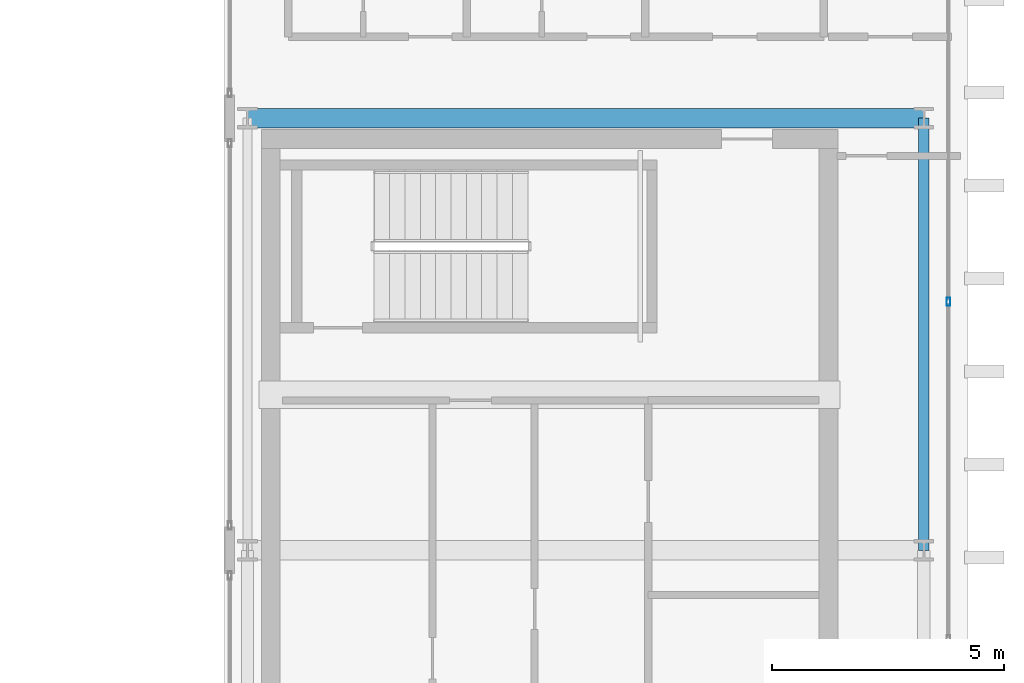
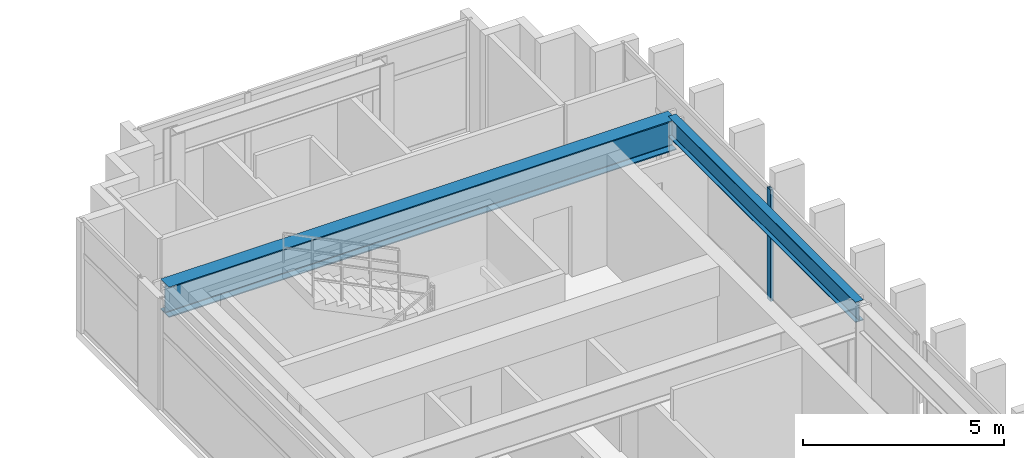
# One storey, part 14 of 25: 2 beams, 1 member, 1 element without a shape of its own.
"""IFC4 building model written with IfcOpenShell, lengths in metres."""

from ifc_helpers import new_model, si_unit, direction, frame, origin, origin_2d, place, context, subcontext, project, spatial, hollow_rectangle, i_section, extrude, source, transform, mapped, material, layer, layer_set, material_profile, profile_set, type_object, element, aggregate, save


model = new_model("IFC4")

# Units and contexts
model_context = context("Model", 3, precision=1e-05, world=origin(), true_north=direction((0.0, 1.0)))
body_context = subcontext(model_context, "Body", "Model", "MODEL_VIEW")
ifc_project = project(units=[si_unit("LENGTHUNIT", "METRE"), si_unit("AREAUNIT", "SQUARE_METRE"), si_unit("VOLUMEUNIT", "CUBIC_METRE"), si_unit("PLANEANGLEUNIT", "RADIAN"), si_unit("MASSUNIT", "GRAM", prefix="KILO")], contexts=[model_context])

# Site, building, storey
site_placement = place(None, origin())
site = spatial("IfcSite", under=ifc_project, at=site_placement, CompositionType="ELEMENT")
building_placement = place(site_placement, origin())
building = spatial("IfcBuilding", under=site, at=building_placement, Name="Ocotamira Hotel", CompositionType="ELEMENT")
storey_placement = place(building_placement, frame((0.0, 0.0, 265.199951171875)))
storey = spatial("IfcBuildingStorey", under=building, at=storey_placement, Name="L67", CompositionType="ELEMENT", Elevation=265.199951171875)

# Beams
ifc_material_1 = material(Name="Steel ASTM A992 Grade 50", Category="steel")
ifc_material_profile_1 = material_profile(ifc_material_1, i_section(OverallWidth=0.41796875, OverallDepth=0.927001953125, WebThickness=0.019287109375, FlangeThickness=0.031982421875, FilletRadius=0.02392578125, at=origin_2d()), Name="W36X231")
ifc_profile_set_1 = profile_set([ifc_material_profile_1], Name="Steel ASTM A992 Grade 50")
beam_type_1 = type_object("IfcBeamType", Name="BM-GIRD-W36X231", PredefinedType="BEAM", material=ifc_profile_set_1)
shared_shape_1 = source(origin(), body_context, "Body", "SweptSolid", [
    extrude(i_section(OverallWidth=0.41796875, OverallDepth=0.927001953125, WebThickness=0.019287109375, FlangeThickness=0.031982421875, FilletRadius=0.02392578125, at=origin_2d()), origin(), (0.0, 0.0, 1.0), 14.550048828125),
])
beam_1_placement = place(storey_placement, frame((40.5, 37.449951171875, 2.91650390625), z_axis=(1.0, 0.0, 0.0), x_axis=(0.0, 1.0, 0.0)))
element("IfcBeam", 1, at=beam_1_placement, inside=storey, type_object=beam_type_1, Name="L67 Girder Y37.45 X40.5-55.05", PredefinedType="BEAM", context=body_context, shape_type="MappedRepresentation", body=[
    mapped(shared_shape_1, transform((0.0, 0.0, 0.0), scale=1.0)),
])
ifc_material_profile_2 = material_profile(ifc_material_1, i_section(OverallWidth=0.22998046875, OverallDepth=0.616943359375, WebThickness=0.01318359375, FlangeThickness=0.022216796875, FilletRadius=0.012939453125, at=origin_2d()), Name="W24X94")
ifc_profile_set_2 = profile_set([ifc_material_profile_2], Name="Steel ASTM A992 Grade 50")
beam_type_2 = type_object("IfcBeamType", Name="BM-PRIM-W24X94", PredefinedType="BEAM", material=ifc_profile_set_2)
shared_shape_2 = source(origin(), body_context, "Body", "SweptSolid", [
    extrude(i_section(OverallWidth=0.22998046875, OverallDepth=0.616943359375, WebThickness=0.01318359375, FlangeThickness=0.022216796875, FilletRadius=0.012939453125, at=origin_2d()), origin(), (0.0, 0.0, 1.0), 9.300048828125),
])
beam_2_placement = place(storey_placement, frame((55.050048828125, 28.14990234375, 3.071533203125), z_axis=(0.0, 1.0, 0.0), x_axis=(-1.0, 0.0, 0.0)))
element("IfcBeam", 2, at=beam_2_placement, inside=storey, type_object=beam_type_2, Name="L67 Beam X55.05 Y28.15-37.45", PredefinedType="BEAM", context=body_context, shape_type="MappedRepresentation", body=[
    mapped(shared_shape_2, transform((0.0, 0.0, 0.0), scale=1.0)),
])

# Curtain wall, member
ifc_material_2 = material(Name="Anodised pale-metal aluminium and solar glass", Category="aluminium")
ifc_layer = layer(ifc_material_2, 0.2099609375)
ifc_layer_set = layer_set([ifc_layer], Name="Anodised pale-metal aluminium and solar glass")
curtain_wall_type = type_object("IfcCurtainWallType", Name="CW-SYS7-PEAK", PredefinedType="NOTDEFINED", material=ifc_layer_set)
curtain_wall_placement = place(storey_placement, origin())
curtain_wall = element("IfcCurtainWall", 3, at=curtain_wall_placement, inside=storey, type_object=curtain_wall_type, Name="L67 Curtain Wall CW-7 CW-L67-EO2", PredefinedType="NOTDEFINED")
ifc_material_3 = material(Name="Anodised pale-metal aluminium 6063-T6", Category="aluminium")
ifc_material_profile_3 = material_profile(ifc_material_3, hollow_rectangle(XDim=0.080078125, YDim=0.179931640625, WallThickness=0.006103515625, at=origin_2d()), Name="HSS180X80X6")
ifc_profile_set_3 = profile_set([ifc_material_profile_3], Name="Anodised pale-metal aluminium 6063-T6")
member_type = type_object("IfcMemberType", Name="CWM-180X75", PredefinedType="MULLION", material=ifc_profile_set_3)
shared_shape_3 = source(origin(), body_context, "Body", "SweptSolid", [
    extrude(hollow_rectangle(XDim=0.080078125, YDim=0.179931640625, WallThickness=0.006103515625, at=origin_2d()), origin(), (0.0, 0.0, 1.0), 3.380126953125),
])
member_placement = place(storey_placement, frame((55.580078125, 33.5, 0.0), z_axis=(0.0, 0.0, 1.0), x_axis=(-1.0, 0.0, 0.0)))
member = element("IfcMember", 4, at=member_placement, type_object=member_type, Name="CW-7 mullion 2", PredefinedType="MULLION", context=body_context, shape_type="MappedRepresentation", body=[
    mapped(shared_shape_3, transform((0.0, 0.0, 0.0), scale=1.0)),
])
aggregate(curtain_wall, [member])

save(model, "model.ifc")
